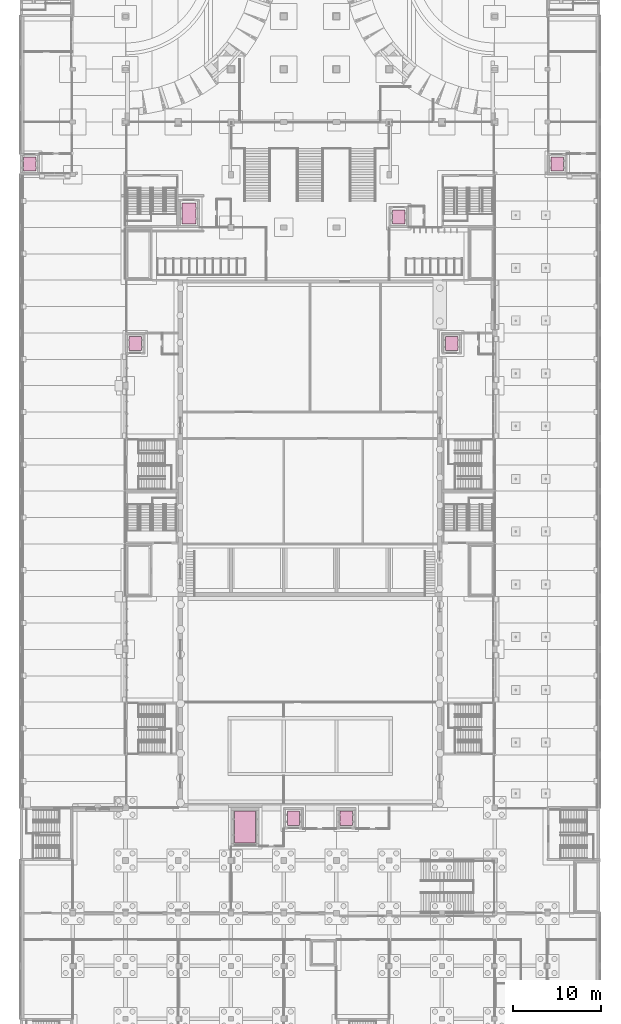
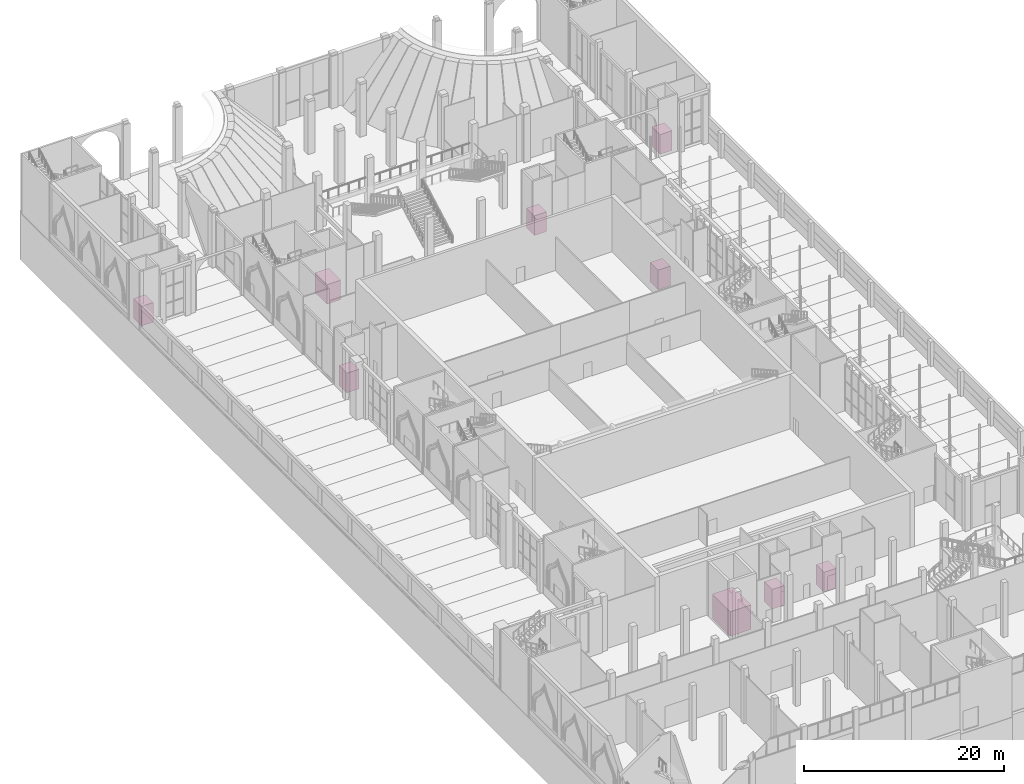
# One storey, part 95 of 95: 9 transport elements.
"""IFC4 building model written with IfcOpenShell, lengths in metres."""

import ifcopenshell
import ifcopenshell.guid

model = None  # the IFC model being written
_history = None  # IfcOwnerHistory: only IFC2X3 demands one
_inside = {}  # id of a spatial element -> (the spatial element, [elements in it])
_under = {}  # id of a project, library or spatial element -> (it, [spatial elements below it])
_declared = {}  # id of a project -> (the project, [libraries it declares])
_typed = {}  # id of a type object -> (the type object, [elements of that type])
_made_of = {}  # id of a material, layer set ... -> (it, [elements and type objects made of it])


def new_model(schema):
    """Start an empty IFC model of exactly this schema.

    Asked for "IFC4X3", IfcOpenShell would pick the latest addendum, in which some entities
    have other attributes; the version numbers below select the first issue.
    IFC2X3 requires an IfcOwnerHistory on every rooted entity: one is made here for all.
    """
    global model, _history
    if schema == "IFC4X3":
        model = ifcopenshell.file(schema_version=(4, 3, 0, 0))
    else:
        model = ifcopenshell.file(schema=schema)
    _inside.clear()
    _under.clear()
    _declared.clear()
    _typed.clear()
    _made_of.clear()
    _history = None
    if model.schema == "IFC2X3":
        org = make("IfcOrganization", Name="unknown")
        user = make(
            "IfcPersonAndOrganization",
            ThePerson=make("IfcPerson", FamilyName="unknown"),
            TheOrganization=org,
        )
        app = make(
            "IfcApplication",
            ApplicationDeveloper=org,
            Version="unknown",
            ApplicationFullName="unknown",
            ApplicationIdentifier="unknown",
        )
        _history = make(
            "IfcOwnerHistory",
            OwningUser=user,
            OwningApplication=app,
            ChangeAction="ADDED",
            CreationDate=0,
        )
    return model


def make(cls, **values):
    """One entity of the class cls with the attributes given. An attribute that is None is left unset."""
    return model.create_entity(
        cls, **{name: value for name, value in values.items() if value is not None}
    )


def rooted(cls, **values):
    """An entity with a GlobalId (a new one), such as an element, a storey or a relation."""
    return make(cls, GlobalId=ifcopenshell.guid.new(), OwnerHistory=_history, **values)


def si_unit(unit_type, name, prefix=None):
    """IfcSIUnit, for example si_unit("LENGTHUNIT", "METRE", prefix="MILLI")."""
    return make("IfcSIUnit", UnitType=unit_type, Prefix=prefix, Name=name)


def assignment(units):
    """IfcUnitAssignment: the units of a project."""
    return None if units is None else make("IfcUnitAssignment", Units=units)


def point(xyz):
    """IfcCartesianPoint."""
    return None if xyz is None else make("IfcCartesianPoint", Coordinates=xyz)


def direction(xyz):
    """IfcDirection."""
    return None if xyz is None else make("IfcDirection", DirectionRatios=xyz)


def frame(location, z_axis=None, x_axis=None):
    """IfcAxis2Placement3D, a coordinate frame: its origin and axes. An axis left out is left unset."""
    return make(
        "IfcAxis2Placement3D",
        Location=point(location),
        Axis=direction(z_axis),
        RefDirection=direction(x_axis),
    )


def frame_2d(location, x_axis=None):
    """IfcAxis2Placement2D, a coordinate frame in the plane: its origin and x axis."""
    return make(
        "IfcAxis2Placement2D", Location=point(location), RefDirection=direction(x_axis)
    )


def origin():
    """The frame at (0, 0, 0) with its axes left unset."""
    return frame((0.0, 0.0, 0.0))


def origin_2d():
    """The frame at (0, 0) in the plane with its x axis left unset."""
    return frame_2d((0.0, 0.0))


def place(relative_to, where):
    """IfcLocalPlacement: puts the frame where relative to a parent placement (None: the world)."""
    return make(
        "IfcLocalPlacement", PlacementRelTo=relative_to, RelativePlacement=where
    )


def context(
    kind, dimensions, precision=None, world=None, true_north=None, identifier=None
):
    """IfcGeometricRepresentationContext, for example the 3D "Model" context."""
    return make(
        "IfcGeometricRepresentationContext",
        ContextIdentifier=identifier,
        ContextType=kind,
        CoordinateSpaceDimension=dimensions,
        Precision=precision,
        WorldCoordinateSystem=world,
        TrueNorth=true_north,
    )


def subcontext(parent, identifier, kind, view, scale=None):
    """IfcGeometricRepresentationSubContext, for example "Body" below "Model"."""
    return make(
        "IfcGeometricRepresentationSubContext",
        ContextIdentifier=identifier,
        ContextType=kind,
        ParentContext=parent,
        TargetScale=scale,
        TargetView=view,
    )


def project(units=None, contexts=None):
    """IfcProject with its units and contexts."""
    return rooted(
        "IfcProject",
        Name="project",
        RepresentationContexts=contexts,
        UnitsInContext=assignment(units),
    )


def spatial(cls, under=None, at=None, **own):
    """A site, building, storey or space (cls), placed at a placement, below another one or the project."""
    s = rooted(cls, ObjectPlacement=at, **own)
    if under is not None:
        _under.setdefault(under.id(), (under, []))[1].append(s)
    return s


def profile(cls, at=None, kind="AREA", **sizes):
    """A parametric profile (cls). Its sizes go by their IFC names, for example OverallWidth=200.0."""
    return make(cls, ProfileType=kind, Position=at, **sizes)


def rectangle(**sizes):
    """IfcRectangleProfileDef."""
    return profile("IfcRectangleProfileDef", **sizes)


def extrude(swept, where, along, depth):
    """IfcExtrudedAreaSolid: the profile swept, set in the frame where, extruded along a direction by depth."""
    return make(
        "IfcExtrudedAreaSolid",
        SweptArea=swept,
        Position=where,
        ExtrudedDirection=direction(along),
        Depth=depth,
    )


def shape(context_of_items, identifier, shape_type, items):
    """IfcShapeRepresentation: the items that make up one representation, for example the "Body"."""
    return make(
        "IfcShapeRepresentation",
        ContextOfItems=context_of_items,
        RepresentationIdentifier=identifier,
        RepresentationType=shape_type,
        Items=items,
    )


def material(Name=None, Category=None):
    """IfcMaterial."""
    return make("IfcMaterial", Name=Name, Category=Category)


def made_of(thing, what):
    """Note that an element or type object is made of a material, layer set ...; save() writes the relation."""
    if what is not None:
        _made_of.setdefault(what.id(), (what, []))[1].append(thing)
    return thing


def type_object(cls, material=None, **own):
    """A type object (cls), such as IfcWallType, which elements share."""
    return made_of(rooted(cls, **own), material)


def element(
    cls,
    number,
    at=None,
    inside=None,
    cuts=None,
    type_object=None,
    material=None,
    context=None,
    identifier="Body",
    shape_type=None,
    held_by="IfcProductDefinitionShape",
    body=None,
    shapes=None,
    **own,
):
    """One element of the class cls, such as IfcWall. Its Tag is "e" and its number.

    at: its placement. inside: the storey or other place that contains it. cuts: it is an
    opening in that element (IfcRelVoidsElement). A single representation is given by context,
    identifier, shape_type and body (its items); several are given by shapes. held_by: the class
    of the entity that holds the representations. save() writes the other relations.
    """
    e = rooted(cls, Tag="e%d" % number, ObjectPlacement=at, **own)
    if body is not None:
        shapes = [shape(context, identifier, shape_type, body)]
    if shapes is not None:
        e.Representation = make(held_by, Representations=shapes)
    if inside is not None:
        _inside.setdefault(inside.id(), (inside, []))[1].append(e)
    if cuts is not None:
        rooted(
            "IfcRelVoidsElement", RelatingBuildingElement=cuts, RelatedOpeningElement=e
        )
    if type_object is not None:
        _typed.setdefault(type_object.id(), (type_object, []))[1].append(e)
    return made_of(e, material)


def aggregate(whole, parts):
    """IfcRelAggregates: a whole, such as a stair, and the parts it consists of."""
    return rooted("IfcRelAggregates", RelatingObject=whole, RelatedObjects=parts)


def save(model, path):
    """Write the relations noted so far, then the file.

    IfcRelAggregates (storeys below a building ...), IfcRelContainedInSpatialStructure (elements
    in a storey), IfcRelDefinesByType, IfcRelAssociatesMaterial and IfcRelDeclares: one each for
    every whole, place, type object, material and project.
    """
    for whole, parts in _under.values():
        aggregate(whole, parts)
    for where, things in _inside.values():
        rooted(
            "IfcRelContainedInSpatialStructure",
            RelatedElements=things,
            RelatingStructure=where,
        )
    for kind, things in _typed.values():
        rooted("IfcRelDefinesByType", RelatedObjects=things, RelatingType=kind)
    for what, things in _made_of.values():
        rooted("IfcRelAssociatesMaterial", RelatedObjects=things, RelatingMaterial=what)
    for by, libraries in _declared.values():
        rooted("IfcRelDeclares", RelatingContext=by, RelatedDefinitions=libraries)
    model.write(path)


model = new_model("IFC4")

# Units and contexts
model_context = context("Model", 3, precision=1e-05, world=origin(), true_north=direction((0.0, 1.0)))
body_context = subcontext(model_context, "Body", "Model", "MODEL_VIEW")
ifc_project = project(units=[si_unit("LENGTHUNIT", "METRE"), si_unit("AREAUNIT", "SQUARE_METRE"), si_unit("VOLUMEUNIT", "CUBIC_METRE"), si_unit("PLANEANGLEUNIT", "RADIAN"), si_unit("MASSUNIT", "GRAM", prefix="KILO")], contexts=[model_context])

# Site, building, storey
site_placement = place(None, origin())
site = spatial("IfcSite", under=ifc_project, at=site_placement, CompositionType="ELEMENT")
building_placement = place(site_placement, origin())
building = spatial("IfcBuilding", under=site, at=building_placement, Name="Saffron Lane Theatres", CompositionType="ELEMENT")
storey_placement = place(building_placement, origin())
storey = spatial("IfcBuildingStorey", under=building, at=storey_placement, Name="L00", CompositionType="ELEMENT", Elevation=0.0)

# Transport elements
ifc_material_1 = material(Name="Stainless steel 316", Category="steel")
transport_element_type_1 = type_object("IfcTransportElementType", Name="VC-LIFT CAR 1400x1600", PredefinedType="ELEVATOR", material=ifc_material_1)
for number, where, z_axis, x_axis, name in (
    (1, (43.10009765625, 97.199951171875, 0.0), (0.0, 0.0, 1.0), (1.0, 0.0, 0.0), "LF2"),
    (2, (13.10009765625, 82.800048828125, 0.0), (0.0, 0.0, 1.0), (1.0, 0.0, 0.0), "LF3"),
    (3, (49.10009765625, 82.800048828125, 0.0), (0.0, 0.0, 1.0), (1.0, 0.0, 0.0), "LF4"),
    (4, (31.10009765625, 28.800048828125, 0.0), (0.0, 0.0, 1.0), (1.0, 0.0, 0.0), "LF5"),
    (5, (37.10009765625, 28.800048828125, 0.0), (0.0, 0.0, 1.0), (1.0, 0.0, 0.0), "LF6"),
    (6, (1.10009765625, 103.199951171875, 0.0), (0.0, 0.0, 1.0), (1.0, 0.0, 0.0), "LF7"),
    (7, (61.10009765625, 103.199951171875, 0.0), (0.0, 0.0, 1.0), (1.0, 0.0, 0.0), "LF8"),
):
    element("IfcTransportElement", number, at=place(storey_placement, frame(where, z_axis=z_axis, x_axis=x_axis)), inside=storey, type_object=transport_element_type_1, Name=name, PredefinedType="ELEVATOR", context=body_context, shape_type="SweptSolid", body=[
        extrude(rectangle(XDim=1.39990234375, YDim=1.60009765625, at=origin_2d()), origin(), (0.0, 0.0, 1.0), 2.39990234375),
    ])
ifc_material_2 = material(Name="Stainless steel 316", Category="steel")
transport_element_type_2 = type_object("IfcTransportElementType", Name="VC-LIFT CAR 1600x2400", PredefinedType="ELEVATOR", material=ifc_material_2)
transport_element_1_placement = place(storey_placement, frame((19.199951171875, 97.60009765625, 0.0), z_axis=(0.0, 0.0, 1.0), x_axis=(1.0, 0.0, 0.0)))
element("IfcTransportElement", 8, at=transport_element_1_placement, inside=storey, type_object=transport_element_type_2, Name="LF1", PredefinedType="ELEVATOR", context=body_context, shape_type="SweptSolid", body=[
    extrude(rectangle(XDim=1.60009765625, YDim=2.39990234375, at=origin_2d()), origin(), (0.0, 0.0, 1.0), 2.39990234375),
])
ifc_material_3 = material(Name="Stainless steel 316", Category="steel")
transport_element_type_3 = type_object("IfcTransportElementType", Name="VC-LIFT CAR 2400x3600", PredefinedType="ELEVATOR", material=ifc_material_3)
transport_element_2_placement = place(storey_placement, frame((25.60009765625, 27.800048828125, 0.0), z_axis=(0.0, 0.0, 1.0), x_axis=(1.0, 0.0, 0.0)))
element("IfcTransportElement", 9, at=transport_element_2_placement, inside=storey, type_object=transport_element_type_3, Name="LG1", PredefinedType="ELEVATOR", context=body_context, shape_type="SweptSolid", body=[
    extrude(rectangle(XDim=2.39990234375, YDim=3.60009765625, at=origin_2d()), origin(), (0.0, 0.0, 1.0), 3.0),
])

save(model, "model.ifc")
